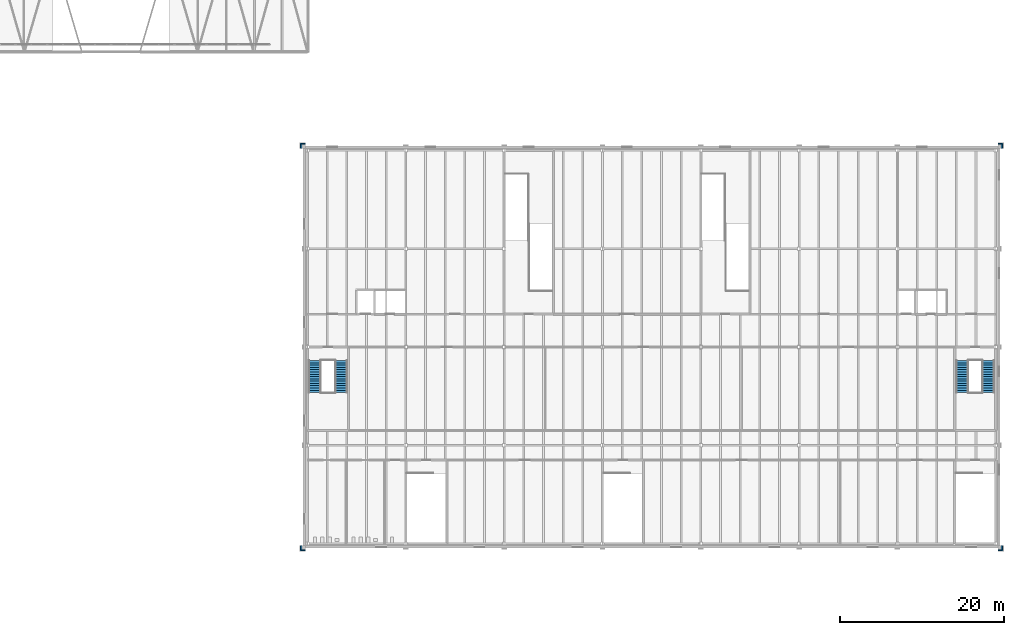
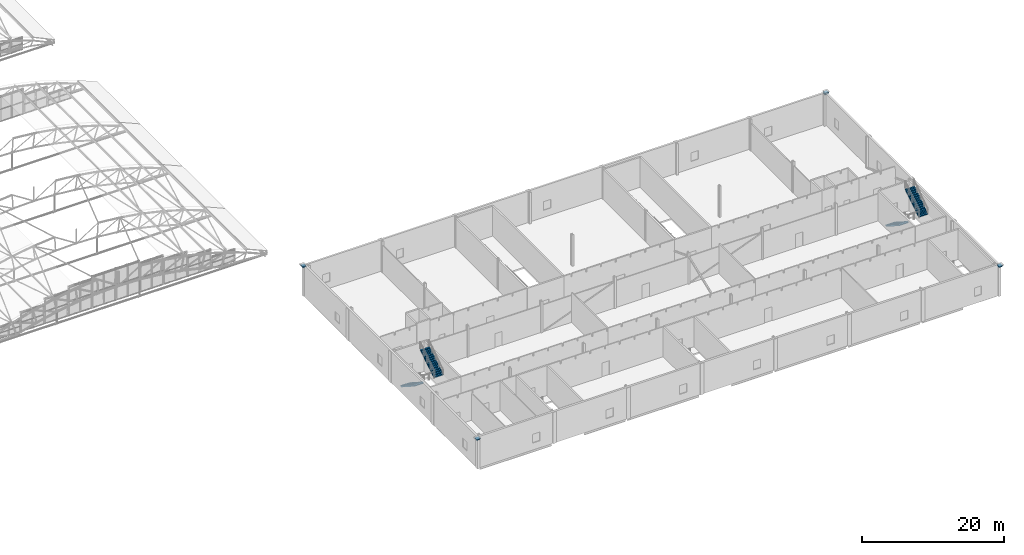
# One storey, part 262 of 321: 8 walls, 4 stair flights, 2 elements without a shape of their own.
"""IFC4 building model written with IfcOpenShell, lengths in metres."""

from ifc_helpers import new_model, si_unit, direction, frame, frame_2d, origin, place, context, subcontext, project, spatial, polyline, rectangle, outline, extrude, material, layer, layer_set, type_object, element, aggregate, save


model = new_model("IFC4")

# Units and contexts
model_context = context("Model", 3, precision=1e-05, world=origin(), true_north=direction((0.0, 1.0)))
body_context = subcontext(model_context, "Body", "Model", "MODEL_VIEW")
ifc_project = project(units=[si_unit("LENGTHUNIT", "METRE"), si_unit("AREAUNIT", "SQUARE_METRE"), si_unit("VOLUMEUNIT", "CUBIC_METRE"), si_unit("PLANEANGLEUNIT", "RADIAN"), si_unit("MASSUNIT", "GRAM", prefix="KILO")], contexts=[model_context])

# Site, building, storey
site_placement = place(None, origin())
site = spatial("IfcSite", under=ifc_project, at=site_placement, CompositionType="ELEMENT")
building_placement = place(site_placement, origin())
building = spatial("IfcBuilding", under=site, at=building_placement, Name="Ravi Spectrum Wholesale Market", CompositionType="ELEMENT")
storey_placement = place(building_placement, frame((0.0, 0.0, 10.800048828125)))
storey = spatial("IfcBuildingStorey", under=building, at=storey_placement, Name="L02", CompositionType="ELEMENT", Elevation=10.800048828125)

# Walls
ifc_material_1 = material(Name="Clinker brickwork", Category="masonry")
ifc_layer_1 = layer(ifc_material_1, 0.554931640625)
ifc_layer_set_1 = layer_set([ifc_layer_1], Name="Clinker brickwork")
wall_type_1 = type_object("IfcWallType", Name="Brick corbel 555", PredefinedType="SOLIDWALL", material=ifc_layer_set_1)
for number, where, z_axis, x_axis, name in (
    (1, (197.75, 17.472412109375, 5.010009765625), (0.0, 0.0, 1.0), (-1.0, 0.0, 0.0), "CS-WL-L02-032"),
    (2, (282.25, 17.472412109375, 5.010009765625), (0.0, 0.0, 1.0), (1.0, 0.0, 0.0), "CS-WL-L02-036"),
    (3, (282.25, 66.527587890625, 5.010009765625), (0.0, 0.0, 1.0), (1.0, 0.0, 0.0), "CS-WL-L02-040"),
    (4, (197.75, 66.527587890625, 5.010009765625), (0.0, 0.0, 1.0), (-1.0, 0.0, 0.0), "CS-WL-L02-044"),
):
    element("IfcWall", number, at=place(storey_placement, frame(where, z_axis=z_axis, x_axis=x_axis)), inside=storey, type_object=wall_type_1, Name=name, PredefinedType="SOLIDWALL", context=body_context, shape_type="SweptSolid", body=[
        extrude(rectangle(XDim=0.530029296875, YDim=0.554931640625, at=frame_2d((0.26513671875, 0.0))), origin(), (0.0, 0.0, 1.0), 0.1298828125),
    ])
ifc_material_2 = material(Name="Clinker brickwork", Category="masonry")
ifc_layer_2 = layer(ifc_material_2, 0.625)
ifc_layer_set_2 = layer_set([ifc_layer_2], Name="Clinker brickwork")
wall_type_2 = type_object("IfcWallType", Name="Brick corbel 625", PredefinedType="SOLIDWALL", material=ifc_layer_set_2)
for number, where, z_axis, x_axis, name in (
    (5, (197.75, 17.4375, 5.139892578125), (0.0, 0.0, 1.0), (-1.0, 0.0, 0.0), "CS-WL-L02-033"),
    (6, (282.25, 17.4375, 5.139892578125), (0.0, 0.0, 1.0), (1.0, 0.0, 0.0), "CS-WL-L02-037"),
    (7, (282.25, 66.5625, 5.139892578125), (0.0, 0.0, 1.0), (1.0, 0.0, 0.0), "CS-WL-L02-041"),
    (8, (197.75, 66.5625, 5.139892578125), (0.0, 0.0, 1.0), (-1.0, 0.0, 0.0), "CS-WL-L02-045"),
):
    element("IfcWall", number, at=place(storey_placement, frame(where, z_axis=z_axis, x_axis=x_axis)), inside=storey, type_object=wall_type_2, Name=name, PredefinedType="SOLIDWALL", context=body_context, shape_type="SweptSolid", body=[
        extrude(rectangle(XDim=0.64501953125, YDim=0.625, at=frame_2d((0.322509765625, 0.0))), origin(), (0.0, 0.0, 1.0), 0.130126953125),
    ])

# Stair, stair flights
ifc_material_3 = material(Name="Concrete C35/45", Category="concrete")
stair_type = type_object("IfcStairType", Name="Stair", PredefinedType="NOTDEFINED", material=ifc_material_3)
stair_1_placement = place(storey_placement, origin())
stair_1 = element("IfcStair", 9, at=stair_1_placement, inside=storey, type_object=stair_type, Name="L02 S-CS-1", PredefinedType="HALF_TURN_STAIR")
ifc_material_4 = material(Name="Concrete C35/45", Category="concrete")
stair_flight_type = type_object("IfcStairFlightType", Name="Stair flight", PredefinedType="STRAIGHT", material=ifc_material_4)
stair_flight_1_placement = place(storey_placement, frame((198.89990234375, 40.35009765625, 0.0), z_axis=(0.0, 0.0, 1.0), x_axis=(0.0, -1.0, 0.0)))
stair_flight_1 = element("IfcStairFlight", 10, at=stair_flight_1_placement, type_object=stair_flight_type, Name="S-CS-1 flight 1", NumberOfRisers=15, NumberOfTreads=14, PredefinedType="STRAIGHT", RiserHeight=0.18, TreadLength=0.28, context=body_context, shape_type="SweptSolid", body=[
    extrude(outline(polyline([(0.0, 0.0), (0.0, 0.179931640625), (0.280029296875, 0.179931640625), (0.280029296875, 0.360107421875), (0.56005859375, 0.360107421875), (0.56005859375, 0.5400390625), (0.840087890625, 0.5400390625), (0.840087890625, 0.719970703125), (1.1201171875, 0.719970703125), (1.1201171875, 0.89990234375), (1.39990234375, 0.89990234375), (1.39990234375, 1.080078125), (1.679931640625, 1.080078125), (1.679931640625, 1.260009765625), (1.9599609375, 1.260009765625), (1.9599609375, 1.43994140625), (2.239990234375, 1.43994140625), (2.239990234375, 1.6201171875), (2.52001953125, 1.6201171875), (2.52001953125, 1.800048828125), (2.800048828125, 1.800048828125), (2.800048828125, 1.97998046875), (3.080078125, 1.97998046875), (3.080078125, 2.159912109375), (3.360107421875, 2.159912109375), (3.360107421875, 2.340087890625), (3.639892578125, 2.340087890625), (3.639892578125, 2.52001953125), (3.919921875, 2.52001953125), (3.919921875, 2.699951171875), (3.919921875, 2.341796875), (0.277099609375, 0.0), (0.0, 0.0)])), frame((0.0, 0.75, 0.0), z_axis=(0.0, -1.0, 0.0), x_axis=(1.0, 0.0, 0.0)), (0.0, 0.0, 1.0), 1.5),
])
stair_flight_2_placement = place(storey_placement, frame((202.10009765625, 36.429931640625, 2.699951171875), z_axis=(0.0, 0.0, 1.0), x_axis=(0.0, 1.0, 0.0)))
stair_flight_2 = element("IfcStairFlight", 11, at=stair_flight_2_placement, type_object=stair_flight_type, Name="S-CS-1 flight 2", NumberOfRisers=15, NumberOfTreads=14, PredefinedType="STRAIGHT", RiserHeight=0.18, TreadLength=0.28, context=body_context, shape_type="SweptSolid", body=[
    extrude(outline(polyline([(0.0, 0.0), (0.0, 0.179931640625), (0.280029296875, 0.179931640625), (0.280029296875, 0.360107421875), (0.56005859375, 0.360107421875), (0.56005859375, 0.5400390625), (0.840087890625, 0.5400390625), (0.840087890625, 0.719970703125), (1.1201171875, 0.719970703125), (1.1201171875, 0.89990234375), (1.39990234375, 0.89990234375), (1.39990234375, 1.080078125), (1.679931640625, 1.080078125), (1.679931640625, 1.260009765625), (1.9599609375, 1.260009765625), (1.9599609375, 1.43994140625), (2.239990234375, 1.43994140625), (2.239990234375, 1.6201171875), (2.52001953125, 1.6201171875), (2.52001953125, 1.800048828125), (2.800048828125, 1.800048828125), (2.800048828125, 1.97998046875), (3.080078125, 1.97998046875), (3.080078125, 2.159912109375), (3.360107421875, 2.159912109375), (3.360107421875, 2.340087890625), (3.639892578125, 2.340087890625), (3.639892578125, 2.52001953125), (3.919921875, 2.52001953125), (3.919921875, 2.699951171875), (3.919921875, 2.341796875), (0.277099609375, 0.0), (0.0, 0.0)])), frame((0.0, 0.75, 0.0), z_axis=(0.0, -1.0, 0.0), x_axis=(1.0, 0.0, 0.0)), (0.0, 0.0, 1.0), 1.5),
])
aggregate(stair_1, [stair_flight_1, stair_flight_2])

stair_2_placement = place(storey_placement, origin())
stair_2 = element("IfcStair", 12, at=stair_2_placement, inside=storey, type_object=stair_type, Name="L02 S-CS-2", PredefinedType="HALF_TURN_STAIR")
stair_flight_3_placement = place(storey_placement, frame((277.89990234375, 40.35009765625, 0.0), z_axis=(0.0, 0.0, 1.0), x_axis=(0.0, -1.0, 0.0)))
stair_flight_3 = element("IfcStairFlight", 13, at=stair_flight_3_placement, type_object=stair_flight_type, Name="S-CS-2 flight 1", NumberOfRisers=15, NumberOfTreads=14, PredefinedType="STRAIGHT", RiserHeight=0.18, TreadLength=0.28, context=body_context, shape_type="SweptSolid", body=[
    extrude(outline(polyline([(0.0, 0.0), (0.0, 0.179931640625), (0.280029296875, 0.179931640625), (0.280029296875, 0.360107421875), (0.56005859375, 0.360107421875), (0.56005859375, 0.5400390625), (0.840087890625, 0.5400390625), (0.840087890625, 0.719970703125), (1.1201171875, 0.719970703125), (1.1201171875, 0.89990234375), (1.39990234375, 0.89990234375), (1.39990234375, 1.080078125), (1.679931640625, 1.080078125), (1.679931640625, 1.260009765625), (1.9599609375, 1.260009765625), (1.9599609375, 1.43994140625), (2.239990234375, 1.43994140625), (2.239990234375, 1.6201171875), (2.52001953125, 1.6201171875), (2.52001953125, 1.800048828125), (2.800048828125, 1.800048828125), (2.800048828125, 1.97998046875), (3.080078125, 1.97998046875), (3.080078125, 2.159912109375), (3.360107421875, 2.159912109375), (3.360107421875, 2.340087890625), (3.639892578125, 2.340087890625), (3.639892578125, 2.52001953125), (3.919921875, 2.52001953125), (3.919921875, 2.699951171875), (3.919921875, 2.341796875), (0.277099609375, 0.0), (0.0, 0.0)])), frame((0.0, 0.75, 0.0), z_axis=(0.0, -1.0, 0.0), x_axis=(1.0, 0.0, 0.0)), (0.0, 0.0, 1.0), 1.5),
])
stair_flight_4_placement = place(storey_placement, frame((281.10009765625, 36.429931640625, 2.699951171875), z_axis=(0.0, 0.0, 1.0), x_axis=(0.0, 1.0, 0.0)))
stair_flight_4 = element("IfcStairFlight", 14, at=stair_flight_4_placement, type_object=stair_flight_type, Name="S-CS-2 flight 2", NumberOfRisers=15, NumberOfTreads=14, PredefinedType="STRAIGHT", RiserHeight=0.18, TreadLength=0.28, context=body_context, shape_type="SweptSolid", body=[
    extrude(outline(polyline([(0.0, 0.0), (0.0, 0.179931640625), (0.280029296875, 0.179931640625), (0.280029296875, 0.360107421875), (0.56005859375, 0.360107421875), (0.56005859375, 0.5400390625), (0.840087890625, 0.5400390625), (0.840087890625, 0.719970703125), (1.1201171875, 0.719970703125), (1.1201171875, 0.89990234375), (1.39990234375, 0.89990234375), (1.39990234375, 1.080078125), (1.679931640625, 1.080078125), (1.679931640625, 1.260009765625), (1.9599609375, 1.260009765625), (1.9599609375, 1.43994140625), (2.239990234375, 1.43994140625), (2.239990234375, 1.6201171875), (2.52001953125, 1.6201171875), (2.52001953125, 1.800048828125), (2.800048828125, 1.800048828125), (2.800048828125, 1.97998046875), (3.080078125, 1.97998046875), (3.080078125, 2.159912109375), (3.360107421875, 2.159912109375), (3.360107421875, 2.340087890625), (3.639892578125, 2.340087890625), (3.639892578125, 2.52001953125), (3.919921875, 2.52001953125), (3.919921875, 2.699951171875), (3.919921875, 2.341796875), (0.277099609375, 0.0), (0.0, 0.0)])), frame((0.0, 0.75, 0.0), z_axis=(0.0, -1.0, 0.0), x_axis=(1.0, 0.0, 0.0)), (0.0, 0.0, 1.0), 1.5),
])
aggregate(stair_2, [stair_flight_3, stair_flight_4])

save(model, "model.ifc")
